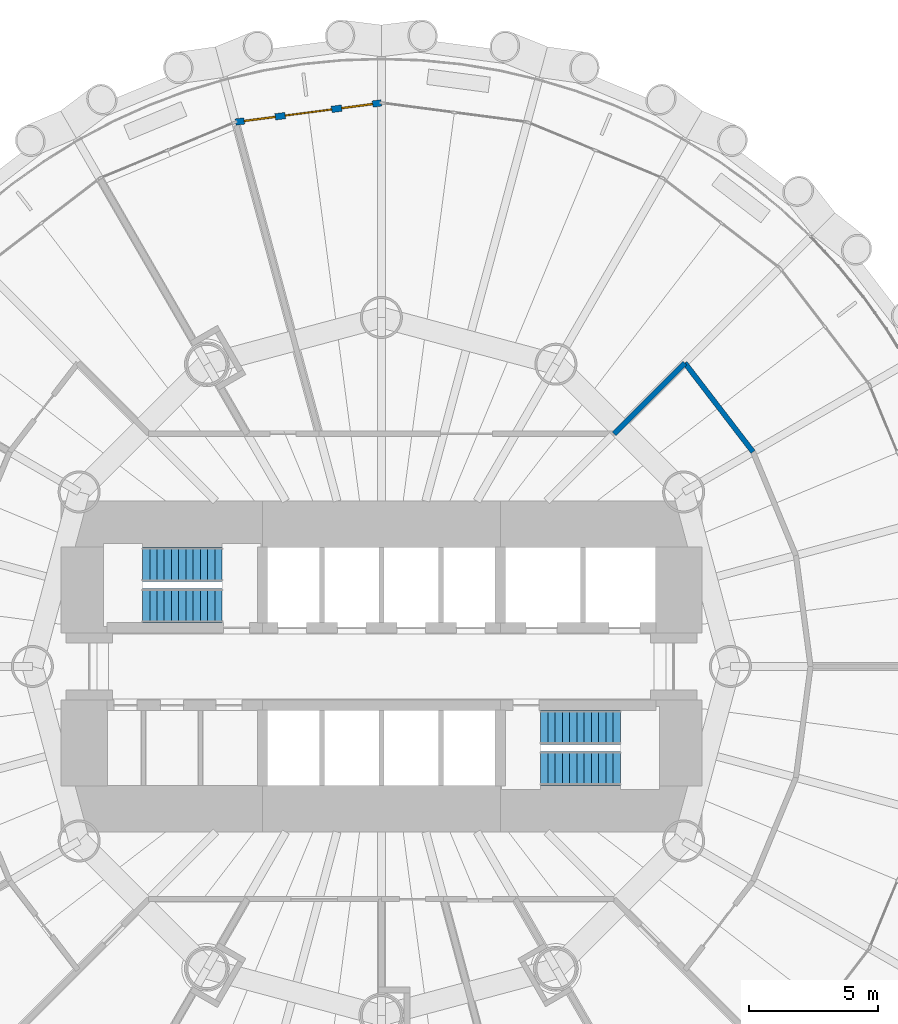
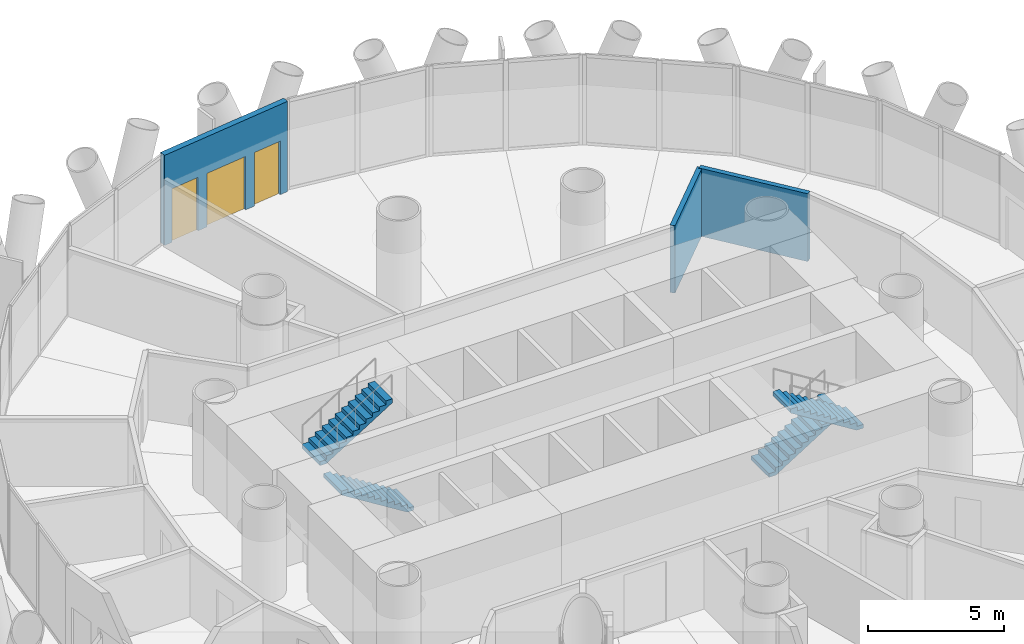
# One storey, part 12 of 16: 4 stair flights, 3 walls, 2 windows, 1 door, 3 openings, 2 elements without a shape of their own.
"""IFC4 building model written with IfcOpenShell, lengths in metres."""

from ifc_helpers import new_model, si_unit, direction, frame, frame_2d, origin, place, context, subcontext, project, spatial, polyline, rectangle, outline, extrude, material, layer, layer_set, type_object, element, fill, aggregate, save


model = new_model("IFC4")

# Units and contexts
model_context = context("Model", 3, precision=1e-05, world=origin(), true_north=direction((0.0, 1.0)))
body_context = subcontext(model_context, "Body", "Model", "MODEL_VIEW")
ifc_project = project(units=[si_unit("LENGTHUNIT", "METRE"), si_unit("AREAUNIT", "SQUARE_METRE"), si_unit("VOLUMEUNIT", "CUBIC_METRE"), si_unit("PLANEANGLEUNIT", "RADIAN"), si_unit("MASSUNIT", "GRAM", prefix="KILO")], contexts=[model_context])

# Site, building, storey
site_placement = place(None, origin())
site = spatial("IfcSite", under=ifc_project, at=site_placement, CompositionType="ELEMENT")
building_placement = place(site_placement, origin())
building = spatial("IfcBuilding", under=site, at=building_placement, Name="Qaws Media Tower", CompositionType="ELEMENT")
storey_placement = place(building_placement, frame((0.0, 0.0, 42.800048828125)))
storey = spatial("IfcBuildingStorey", under=building, at=storey_placement, Name="L08", CompositionType="ELEMENT", Elevation=42.800048828125)

# Wall, openings, door, windows
ifc_material_1 = material(Name="Precast concrete, exposed finish", Category="concrete")
ifc_layer_1 = layer(ifc_material_1, 0.25)
ifc_layer_set_1 = layer_set([ifc_layer_1], Name="Balcony door wall 250")
wall_type_1 = type_object("IfcWallType", Name="Balcony door wall 250", PredefinedType="SOLIDWALL", material=ifc_layer_set_1)
wall_1_placement = place(storey_placement, frame((60.0, 71.800048828125, 0.0), z_axis=(0.0, 0.0, 1.0), x_axis=(-0.991442756491, -0.130542179395, 0.0)))
wall_1 = element("IfcWall", 1, at=wall_1_placement, inside=storey, type_object=wall_type_1, Name="W123 EW1 balcony door wall L08-07", PredefinedType="SOLIDWALL", context=body_context, shape_type="SweptSolid", body=[
    extrude(rectangle(XDim=5.69091796875, YDim=0.25, at=frame_2d((2.845458984375, 0.0))), origin(), (0.0, 0.0, 1.0), 4.0400390625),
])
opening_1_placement = place(wall_1_placement, frame((1.945556640625, 0.0, 0.0)))
opening_1 = element("IfcOpeningElement", 2, at=opening_1_placement, cuts=wall_1, Name="Opening D7", PredefinedType="OPENING", context=body_context, shape_type="SweptSolid", body=[
    extrude(rectangle(XDim=1.800048828125, YDim=2.39990234375, at=frame_2d((0.89990234375, 1.199951171875))), frame((0.0, 0.135009765625, 0.0), z_axis=(0.0, -1.0, 0.0), x_axis=(1.0, 0.0, 0.0)), (0.0, 0.0, 1.0), 0.27001953125),
])
opening_2_placement = place(wall_1_placement, frame((0.345458984375, 0.0, 0.0)))
opening_2 = element("IfcOpeningElement", 3, at=opening_2_placement, cuts=wall_1, Name="Opening W1", PredefinedType="OPENING", context=body_context, shape_type="SweptSolid", body=[
    extrude(rectangle(XDim=1.199951171875, YDim=2.39990234375, at=frame_2d((0.60009765625, 1.199951171875))), frame((0.0, 0.135009765625, 0.0), z_axis=(0.0, -1.0, 0.0), x_axis=(1.0, 0.0, 0.0)), (0.0, 0.0, 1.0), 0.27001953125),
])
opening_3_placement = place(wall_1_placement, frame((4.1455078125, 0.0, 0.0)))
opening_3 = element("IfcOpeningElement", 4, at=opening_3_placement, cuts=wall_1, Name="Opening W1", PredefinedType="OPENING", context=body_context, shape_type="SweptSolid", body=[
    extrude(rectangle(XDim=1.199951171875, YDim=2.39990234375, at=frame_2d((0.60009765625, 1.199951171875))), frame((0.0, 0.135009765625, 0.0), z_axis=(0.0, -1.0, 0.0), x_axis=(1.0, 0.0, 0.0)), (0.0, 0.0, 1.0), 0.27001953125),
])
ifc_material_2 = material(Name="Aluminium and clear glass", Category="aluminium")
door_type = type_object("IfcDoorType", Name="Balcony door pair 1800", OperationType="DOUBLE_DOOR_SLIDING", PredefinedType="DOOR", material=ifc_material_2)
door_placement = place(opening_1_placement, origin())
door = element("IfcDoor", 5, at=door_placement, inside=storey, type_object=door_type, Name="D7 balcony door L08-07 in wall W123", OperationType="DOUBLE_DOOR_SLIDING", OverallHeight=2.39990234375, OverallWidth=1.800048828125, PredefinedType="DOOR", context=body_context, shape_type="SweptSolid", body=[
    extrude(rectangle(XDim=1.800048828125, YDim=2.39990234375, at=frame_2d((0.89990234375, 1.199951171875))), frame((0.0, 0.02490234375, 0.0), z_axis=(0.0, -1.0, 0.0), x_axis=(1.0, 0.0, 0.0)), (0.0, 0.0, 1.0), 0.050048828125),
])
fill(opening_1, door)
ifc_material_3 = material(Name="Aluminium and clear glass", Category="aluminium")
window_type = type_object("IfcWindowType", Name="Balcony side window 1200", PartitioningType="SINGLE_PANEL", PredefinedType="WINDOW", material=ifc_material_3)
window_1_placement = place(opening_2_placement, origin())
window_1 = element("IfcWindow", 6, at=window_1_placement, inside=storey, type_object=window_type, Name="W1 balcony side light L08-07L", OverallHeight=2.39990234375, OverallWidth=1.199951171875, PartitioningType="SINGLE_PANEL", PredefinedType="WINDOW", context=body_context, shape_type="SweptSolid", body=[
    extrude(rectangle(XDim=1.199951171875, YDim=2.39990234375, at=frame_2d((0.60009765625, 1.199951171875))), frame((0.0, 0.030029296875, 0.0), z_axis=(0.0, -1.0, 0.0), x_axis=(1.0, 0.0, 0.0)), (0.0, 0.0, 1.0), 0.06005859375),
])
fill(opening_2, window_1)
window_2_placement = place(opening_3_placement, origin())
window_2 = element("IfcWindow", 7, at=window_2_placement, inside=storey, type_object=window_type, Name="W1 balcony side light L08-07R", OverallHeight=2.39990234375, OverallWidth=1.199951171875, PartitioningType="SINGLE_PANEL", PredefinedType="WINDOW", context=body_context, shape_type="SweptSolid", body=[
    extrude(rectangle(XDim=1.199951171875, YDim=2.39990234375, at=frame_2d((0.60009765625, 1.199951171875))), frame((0.0, 0.030029296875, 0.0), z_axis=(0.0, -1.0, 0.0), x_axis=(1.0, 0.0, 0.0)), (0.0, 0.0, 1.0), 0.06005859375),
])
fill(opening_3, window_2)

# Walls
ifc_material_4 = material(Name="Gypsum board on galvanised metal studs, acoustic double stud, deflection head", Category="gypsum")
ifc_layer_2 = layer(ifc_material_4, 0.199951171875)
ifc_layer_set_2 = layer_set([ifc_layer_2], Name="Room partition 200")
wall_type_2 = type_object("IfcWallType", Name="Room partition 200", PredefinedType="PARTITIONING", material=ifc_layer_set_2)
wall_2_placement = place(storey_placement, frame((69.0, 59.0, 0.0), z_axis=(0.0, 0.0, 1.0), x_axis=(0.707106781187, 0.707106781187, 0.0)))
element("IfcWall", 8, at=wall_2_placement, inside=storey, type_object=wall_type_2, Name="W1011 IW3 partition L08", PredefinedType="PARTITIONING", context=body_context, shape_type="SweptSolid", body=[
    extrude(rectangle(XDim=3.8720703125, YDim=0.199951171875, at=frame_2d((1.93603515625, 0.0))), origin(), (0.0, 0.0, 1.0), 3.02001953125),
])
wall_3_placement = place(storey_placement, frame((71.738037109375, 61.738037109375, 0.0), z_axis=(0.0, 0.0, 1.0), x_axis=(0.60874374674, -0.79336690806, 0.0)))
element("IfcWall", 9, at=wall_3_placement, inside=storey, type_object=wall_type_2, Name="W1012 IW3 partition L08", PredefinedType="PARTITIONING", context=body_context, shape_type="SweptSolid", body=[
    extrude(rectangle(XDim=4.33349609375, YDim=0.199951171875, at=frame_2d((2.166748046875, 0.0))), origin(), (0.0, 0.0, 1.0), 3.0400390625),
])

# Stair, stair flights
ifc_material_5 = material(Name="Concrete C40/50", Category="concrete")
stair_type = type_object("IfcStairType", Name="Exit stair", PredefinedType="HALF_TURN_STAIR", material=ifc_material_5)
stair_1_placement = place(storey_placement, origin())
stair_1 = element("IfcStair", 10, at=stair_1_placement, inside=storey, type_object=stair_type, Name="S1 exit stair L08", PredefinedType="HALF_TURN_STAIR")
ifc_material_6 = material(Name="Concrete C40/50", Category="concrete")
stair_flight_type = type_object("IfcStairFlightType", Name="Stair flight 1310", PredefinedType="STRAIGHT", material=ifc_material_6)
stair_flight_1_placement = place(storey_placement, frame((53.840087890625, 52.35498046875, 0.0), z_axis=(0.0, 0.0, 1.0), x_axis=(-1.0, 0.0, 0.0)))
stair_flight_1 = element("IfcStairFlight", 11, at=stair_flight_1_placement, type_object=stair_flight_type, Name="S1 flight 1", NumberOfRisers=12, NumberOfTreads=11, PredefinedType="STRAIGHT", RiserHeight=0.175, TreadLength=0.28, context=body_context, shape_type="SweptSolid", body=[
    extrude(outline(polyline([(0.0, 0.0), (0.0, 0.175048828125), (0.280029296875, 0.175048828125), (0.280029296875, 0.35009765625), (0.56005859375, 0.35009765625), (0.56005859375, 0.52490234375), (0.840087890625, 0.52490234375), (0.840087890625, 0.699951171875), (1.1201171875, 0.699951171875), (1.1201171875, 0.875), (1.39990234375, 0.875), (1.39990234375, 1.050048828125), (1.679931640625, 1.050048828125), (1.679931640625, 1.22509765625), (1.9599609375, 1.22509765625), (1.9599609375, 1.39990234375), (2.239990234375, 1.39990234375), (2.239990234375, 1.574951171875), (2.52001953125, 1.574951171875), (2.52001953125, 1.75), (2.800048828125, 1.75), (2.800048828125, 1.925048828125), (3.080078125, 1.925048828125), (3.080078125, 2.10009765625), (3.080078125, 1.748291015625), (0.28271484375, 0.0), (0.0, 0.0)])), frame((0.0, 0.655029296875, 0.0), z_axis=(0.0, -1.0, 0.0), x_axis=(1.0, 0.0, 0.0)), (0.0, 0.0, 1.0), 1.31005859375),
])
stair_flight_2_placement = place(storey_placement, frame((50.760009765625, 53.945068359375, 2.099853515625), z_axis=(0.0, 0.0, 1.0), x_axis=(1.0, 0.0, 0.0)))
stair_flight_2 = element("IfcStairFlight", 12, at=stair_flight_2_placement, type_object=stair_flight_type, Name="S1 flight 2", NumberOfRisers=12, NumberOfTreads=11, PredefinedType="STRAIGHT", RiserHeight=0.175, TreadLength=0.28, context=body_context, shape_type="SweptSolid", body=[
    extrude(outline(polyline([(0.0, 0.0), (0.0, 0.175048828125), (0.280029296875, 0.175048828125), (0.280029296875, 0.35009765625), (0.56005859375, 0.35009765625), (0.56005859375, 0.52490234375), (0.840087890625, 0.52490234375), (0.840087890625, 0.699951171875), (1.1201171875, 0.699951171875), (1.1201171875, 0.875), (1.39990234375, 0.875), (1.39990234375, 1.050048828125), (1.679931640625, 1.050048828125), (1.679931640625, 1.22509765625), (1.9599609375, 1.22509765625), (1.9599609375, 1.39990234375), (2.239990234375, 1.39990234375), (2.239990234375, 1.574951171875), (2.52001953125, 1.574951171875), (2.52001953125, 1.75), (2.800048828125, 1.75), (2.800048828125, 1.925048828125), (3.080078125, 1.925048828125), (3.080078125, 2.10009765625), (3.080078125, 1.748291015625), (0.28271484375, 0.0), (0.0, 0.0)])), frame((0.0, 0.655029296875, 0.0), z_axis=(0.0, -1.0, 0.0), x_axis=(1.0, 0.0, 0.0)), (0.0, 0.0, 1.0), 1.31005859375),
])
aggregate(stair_1, [stair_flight_1, stair_flight_2])

stair_2_placement = place(storey_placement, origin())
stair_2 = element("IfcStair", 13, at=stair_2_placement, inside=storey, type_object=stair_type, Name="S2 exit stair L08", PredefinedType="HALF_TURN_STAIR")
stair_flight_3_placement = place(storey_placement, frame((66.159912109375, 47.64501953125, 0.0), z_axis=(0.0, 0.0, 1.0), x_axis=(1.0, 0.0, 0.0)))
stair_flight_3 = element("IfcStairFlight", 14, at=stair_flight_3_placement, type_object=stair_flight_type, Name="S2 flight 1", NumberOfRisers=12, NumberOfTreads=11, PredefinedType="STRAIGHT", RiserHeight=0.175, TreadLength=0.28, context=body_context, shape_type="SweptSolid", body=[
    extrude(outline(polyline([(0.0, 0.0), (0.0, 0.175048828125), (0.280029296875, 0.175048828125), (0.280029296875, 0.35009765625), (0.56005859375, 0.35009765625), (0.56005859375, 0.52490234375), (0.840087890625, 0.52490234375), (0.840087890625, 0.699951171875), (1.1201171875, 0.699951171875), (1.1201171875, 0.875), (1.39990234375, 0.875), (1.39990234375, 1.050048828125), (1.679931640625, 1.050048828125), (1.679931640625, 1.22509765625), (1.9599609375, 1.22509765625), (1.9599609375, 1.39990234375), (2.239990234375, 1.39990234375), (2.239990234375, 1.574951171875), (2.52001953125, 1.574951171875), (2.52001953125, 1.75), (2.800048828125, 1.75), (2.800048828125, 1.925048828125), (3.080078125, 1.925048828125), (3.080078125, 2.10009765625), (3.080078125, 1.748291015625), (0.28271484375, 0.0), (0.0, 0.0)])), frame((0.0, 0.655029296875, 0.0), z_axis=(0.0, -1.0, 0.0), x_axis=(1.0, 0.0, 0.0)), (0.0, 0.0, 1.0), 1.31005859375),
])
stair_flight_4_placement = place(storey_placement, frame((69.239990234375, 46.054931640625, 2.099853515625), z_axis=(0.0, 0.0, 1.0), x_axis=(-1.0, 0.0, 0.0)))
stair_flight_4 = element("IfcStairFlight", 15, at=stair_flight_4_placement, type_object=stair_flight_type, Name="S2 flight 2", NumberOfRisers=12, NumberOfTreads=11, PredefinedType="STRAIGHT", RiserHeight=0.175, TreadLength=0.28, context=body_context, shape_type="SweptSolid", body=[
    extrude(outline(polyline([(0.0, 0.0), (0.0, 0.175048828125), (0.280029296875, 0.175048828125), (0.280029296875, 0.35009765625), (0.56005859375, 0.35009765625), (0.56005859375, 0.52490234375), (0.840087890625, 0.52490234375), (0.840087890625, 0.699951171875), (1.1201171875, 0.699951171875), (1.1201171875, 0.875), (1.39990234375, 0.875), (1.39990234375, 1.050048828125), (1.679931640625, 1.050048828125), (1.679931640625, 1.22509765625), (1.9599609375, 1.22509765625), (1.9599609375, 1.39990234375), (2.239990234375, 1.39990234375), (2.239990234375, 1.574951171875), (2.52001953125, 1.574951171875), (2.52001953125, 1.75), (2.800048828125, 1.75), (2.800048828125, 1.925048828125), (3.080078125, 1.925048828125), (3.080078125, 2.10009765625), (3.080078125, 1.748291015625), (0.28271484375, 0.0), (0.0, 0.0)])), frame((0.0, 0.655029296875, 0.0), z_axis=(0.0, -1.0, 0.0), x_axis=(1.0, 0.0, 0.0)), (0.0, 0.0, 1.0), 1.31005859375),
])
aggregate(stair_2, [stair_flight_3, stair_flight_4])

save(model, "model.ifc")
